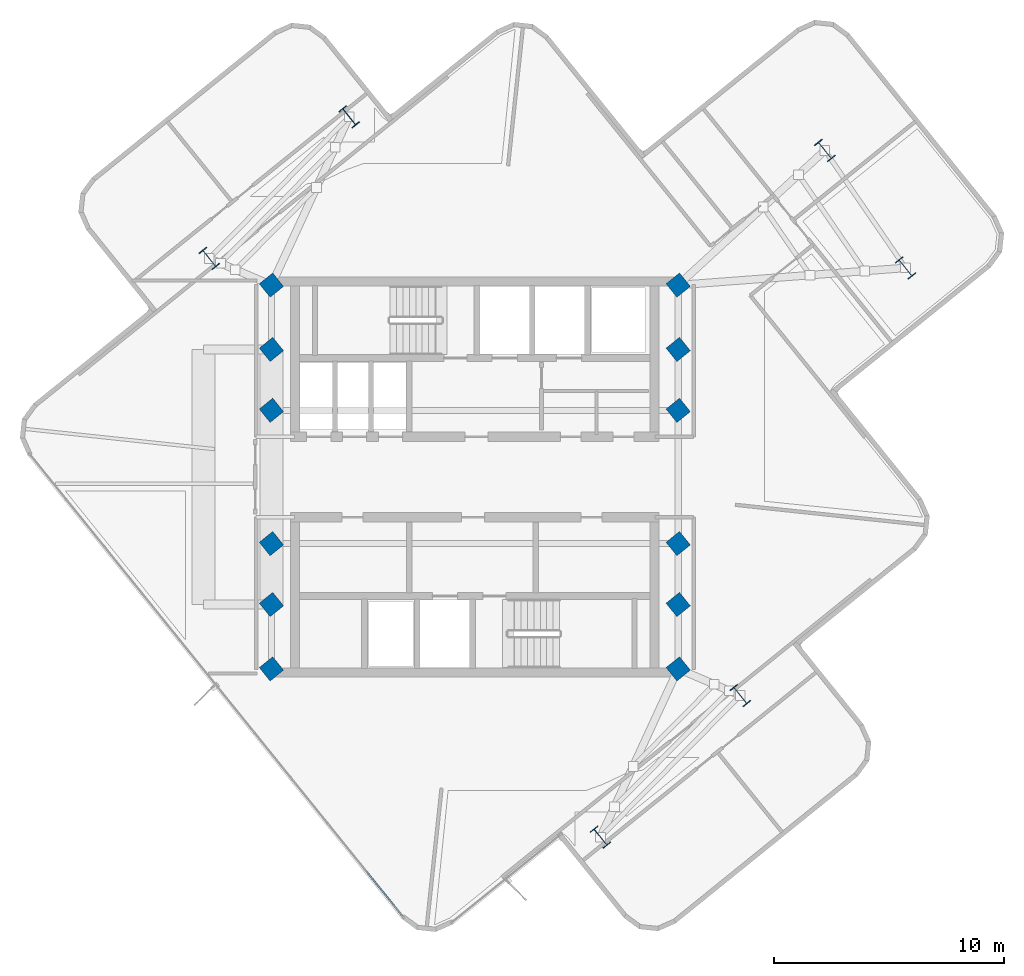
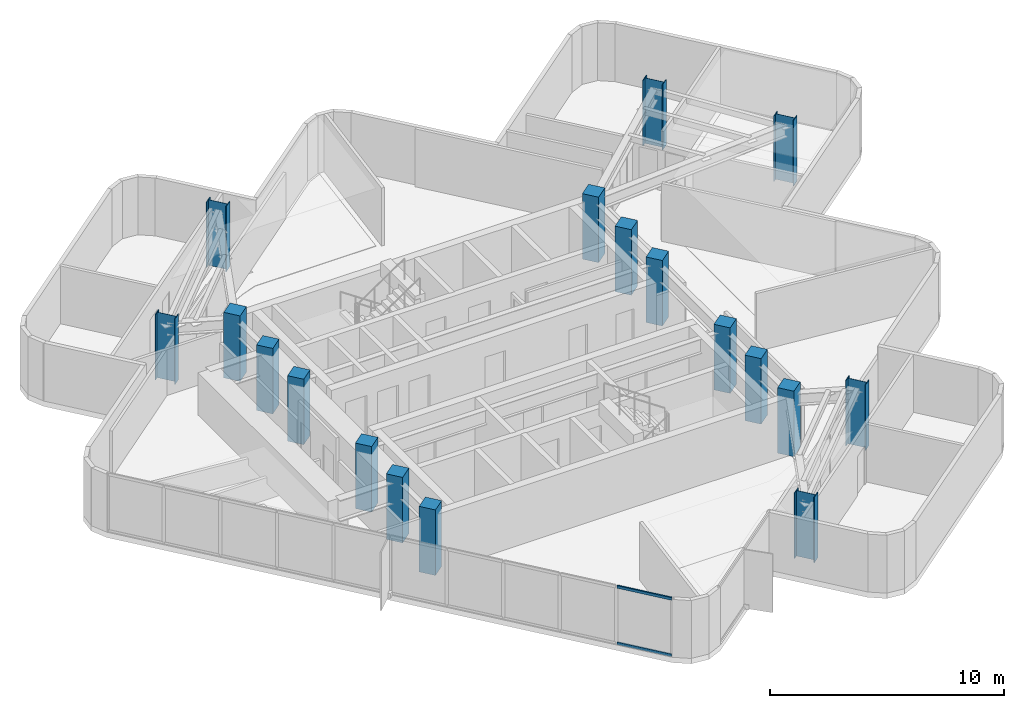
# One storey, part 1 of 9: 18 columns, 2 members, 1 element without a shape of its own.
"""IFC4 building model written with IfcOpenShell, lengths in metres."""

from ifc_helpers import new_model, si_unit, direction, frame, origin, origin_2d, place, context, subcontext, project, spatial, rectangle, i_section, extrude, material, layer, layer_set, material_profile, profile_set, type_object, element, aggregate, save


model = new_model("IFC4")

# Units and contexts
model_context = context("Model", 3, precision=1e-05, world=origin(), true_north=direction((0.0, 1.0)))
body_context = subcontext(model_context, "Body", "Model", "MODEL_VIEW")
ifc_project = project(units=[si_unit("LENGTHUNIT", "METRE"), si_unit("AREAUNIT", "SQUARE_METRE"), si_unit("VOLUMEUNIT", "CUBIC_METRE"), si_unit("PLANEANGLEUNIT", "RADIAN"), si_unit("MASSUNIT", "GRAM", prefix="KILO")], contexts=[model_context])

# Site, building, storey
site_placement = place(None, origin())
site = spatial("IfcSite", under=ifc_project, at=site_placement, CompositionType="ELEMENT")
building_placement = place(site_placement, origin())
building = spatial("IfcBuilding", under=site, at=building_placement, Name="Solmarez Civic Tower", CompositionType="ELEMENT")
storey_placement = place(building_placement, frame((0.0, 0.0, 235.97998046875)))
storey = spatial("IfcBuildingStorey", under=building, at=storey_placement, Name="L63", CompositionType="ELEMENT", Elevation=235.97998046875)

# Columns
ifc_material_1 = material(Name="Concrete C50/60", Category="concrete")
ifc_material_profile_1 = material_profile(ifc_material_1, rectangle(XDim=0.75, YDim=0.75, at=origin_2d()), Name="RC750X750")
ifc_profile_set_1 = profile_set([ifc_material_profile_1], Name="Concrete C50/60")
column_type_1 = type_object("IfcColumnType", Name="COL-RC750", PredefinedType="COLUMN", material=ifc_profile_set_1)
for number, where, z_axis, x_axis, name in (
    (1, (-8.85009765625, -5.550048828125, 0.0), (0.0, 0.0, 1.0), (0.778243148526, 0.627963057649, 0.0), "L63 Structural Column HC1"),
    (2, (-8.85009765625, -2.89990234375, 0.0), (0.0, 0.0, 1.0), (0.778243148526, 0.627963057649, 0.0), "L63 Structural Column HC2"),
    (3, (-8.85009765625, 2.89990234375, 0.0), (0.0, 0.0, 1.0), (0.778243148526, 0.627963057649, 0.0), "L63 Structural Column HC3"),
    (4, (-8.85009765625, 5.550048828125, 0.0), (0.0, 0.0, 1.0), (0.778243148526, 0.627963057649, 0.0), "L63 Structural Column HC4"),
    (5, (8.85009765625, -5.550048828125, 0.0), (0.0, 0.0, 1.0), (0.778243148526, 0.627963057649, 0.0), "L63 Structural Column HC5"),
    (6, (8.85009765625, -2.89990234375, 0.0), (0.0, 0.0, 1.0), (0.778243148526, 0.627963057649, 0.0), "L63 Structural Column HC6"),
    (7, (8.85009765625, 2.89990234375, 0.0), (0.0, 0.0, 1.0), (0.778243148526, 0.627963057649, 0.0), "L63 Structural Column HC7"),
    (8, (8.85009765625, 5.550048828125, 0.0), (0.0, 0.0, 1.0), (0.778243148526, 0.627963057649, 0.0), "L63 Structural Column HC8"),
    (9, (-8.85009765625, 8.35009765625, 0.0), (0.0, 0.0, 1.0), (0.778243148526, 0.627963057649, 0.0), "L63 Structural Column HC9"),
    (10, (8.85009765625, -8.35009765625, 0.0), (0.0, 0.0, 1.0), (0.778243148526, 0.627963057649, 0.0), "L63 Structural Column HC10"),
    (11, (8.85009765625, 8.35009765625, 0.0), (0.0, 0.0, 1.0), (0.778243148526, 0.627963057649, 0.0), "L63 Structural Column HC11"),
    (12, (-8.85009765625, -8.35009765625, 0.0), (0.0, 0.0, 1.0), (0.778243148526, 0.627963057649, 0.0), "L63 Structural Column HC12"),
):
    element("IfcColumn", number, at=place(storey_placement, frame(where, z_axis=z_axis, x_axis=x_axis)), inside=storey, type_object=column_type_1, Name=name, PredefinedType="COLUMN", context=body_context, shape_type="SweptSolid", body=[
        extrude(rectangle(XDim=0.75, YDim=0.75, at=origin_2d()), origin(), (0.0, 0.0, 1.0), 3.419921875),
    ])
ifc_material_2 = material(Name="Steel S355", Category="steel")
ifc_material_profile_2 = material_profile(ifc_material_2, i_section(OverallWidth=0.41796875, OverallDepth=0.927001953125, WebThickness=0.019287109375, FlangeThickness=0.031982421875, at=origin_2d()), Name="W36X231")
ifc_profile_set_2 = profile_set([ifc_material_profile_2], Name="Steel S355")
column_type_2 = type_object("IfcColumnType", Name="COL-W36X231", PredefinedType="COLUMN", material=ifc_profile_set_2)
for number, where, z_axis, x_axis, name in (
    (13, (18.740966796875, 9.096923828125, 0.0), (0.0, 0.0, 1.0), (0.778243148526, 0.627963057649, 0.0), "L63 Structural Column EA11"),
    (14, (15.23388671875, 14.208984375, 0.0), (0.0, 0.0, 1.0), (0.778243148526, 0.627963057649, 0.0), "L63 Structural Column EA12"),
    (15, (-5.468017578125, 15.6708984375, 0.0), (0.0, 0.0, 1.0), (0.778243148526, 0.627963057649, 0.0), "L63 Structural Column NA11"),
    (16, (-11.553955078125, 9.510009765625, 0.0), (0.0, 0.0, 1.0), (0.778243148526, 0.627963057649, 0.0), "L63 Structural Column NA12"),
    (17, (5.468017578125, -15.6708984375, 0.0), (0.0, 0.0, 1.0), (0.778243148526, 0.627963057649, 0.0), "L63 Structural Column SA11"),
    (18, (11.553955078125, -9.510009765625, 0.0), (0.0, 0.0, 1.0), (0.778243148526, 0.627963057649, 0.0), "L63 Structural Column SA12"),
):
    element("IfcColumn", number, at=place(storey_placement, frame(where, z_axis=z_axis, x_axis=x_axis)), inside=storey, type_object=column_type_2, Name=name, PredefinedType="COLUMN", context=body_context, shape_type="SweptSolid", body=[
        extrude(i_section(OverallWidth=0.41796875, OverallDepth=0.927001953125, WebThickness=0.019287109375, FlangeThickness=0.031982421875, at=origin_2d()), origin(), (0.0, 0.0, 1.0), 3.419921875),
    ])

# Curtain wall, members
ifc_material_3 = material(Name="Bronze Anodised Aluminium EN AW-6063 T6", Category="aluminium")
ifc_layer = layer(ifc_material_3, 0.1650390625)
ifc_layer_set = layer_set([ifc_layer], Name="Bronze Anodised Aluminium EN AW-6063 T6")
curtain_wall_type = type_object("IfcCurtainWallType", Name="CW-SYS-4", PredefinedType="NOTDEFINED", material=ifc_layer_set)
curtain_wall_placement = place(storey_placement, origin())
curtain_wall = element("IfcCurtainWall", 19, at=curtain_wall_placement, inside=storey, type_object=curtain_wall_type, Name="L63 Stick-Built Curtain Wall 2", PredefinedType="NOTDEFINED")
ifc_material_profile_3 = material_profile(ifc_material_3, rectangle(XDim=0.070068359375, YDim=0.139892578125, at=origin_2d()), Name="CWT-70X140")
ifc_profile_set_3 = profile_set([ifc_material_profile_3], Name="Bronze Anodised Aluminium EN AW-6063 T6")
member_type = type_object("IfcMemberType", Name="CWT-TYPE-1", PredefinedType="USERDEFINED", material=ifc_profile_set_3)
member_1_placement = place(storey_placement, frame((-3.143798828125, -19.1142578125, 0.034912109375), z_axis=(-0.627973654752, 0.778234597623, 0.0), x_axis=(-0.778234597623, -0.627973654752, 0.0)))
member_1 = element("IfcMember", 20, at=member_1_placement, type_object=member_type, Name="CWS4 transom 1.1", ObjectType="TRANSOM", PredefinedType="USERDEFINED", context=body_context, shape_type="SweptSolid", body=[
    extrude(rectangle(XDim=0.070068359375, YDim=0.139892578125, at=origin_2d()), origin(), (0.0, 0.0, 1.0), 2.502197265625),
])
member_2_placement = place(storey_placement, frame((-3.143798828125, -19.1142578125, 2.985107421875), z_axis=(-0.627973654752, 0.778234597623, 0.0), x_axis=(-0.778234597623, -0.627973654752, 0.0)))
member_2 = element("IfcMember", 21, at=member_2_placement, type_object=member_type, Name="CWS4 transom 1.2", ObjectType="TRANSOM", PredefinedType="USERDEFINED", context=body_context, shape_type="SweptSolid", body=[
    extrude(rectangle(XDim=0.070068359375, YDim=0.139892578125, at=origin_2d()), origin(), (0.0, 0.0, 1.0), 2.502197265625),
])
aggregate(curtain_wall, [member_1, member_2])

save(model, "model.ifc")
